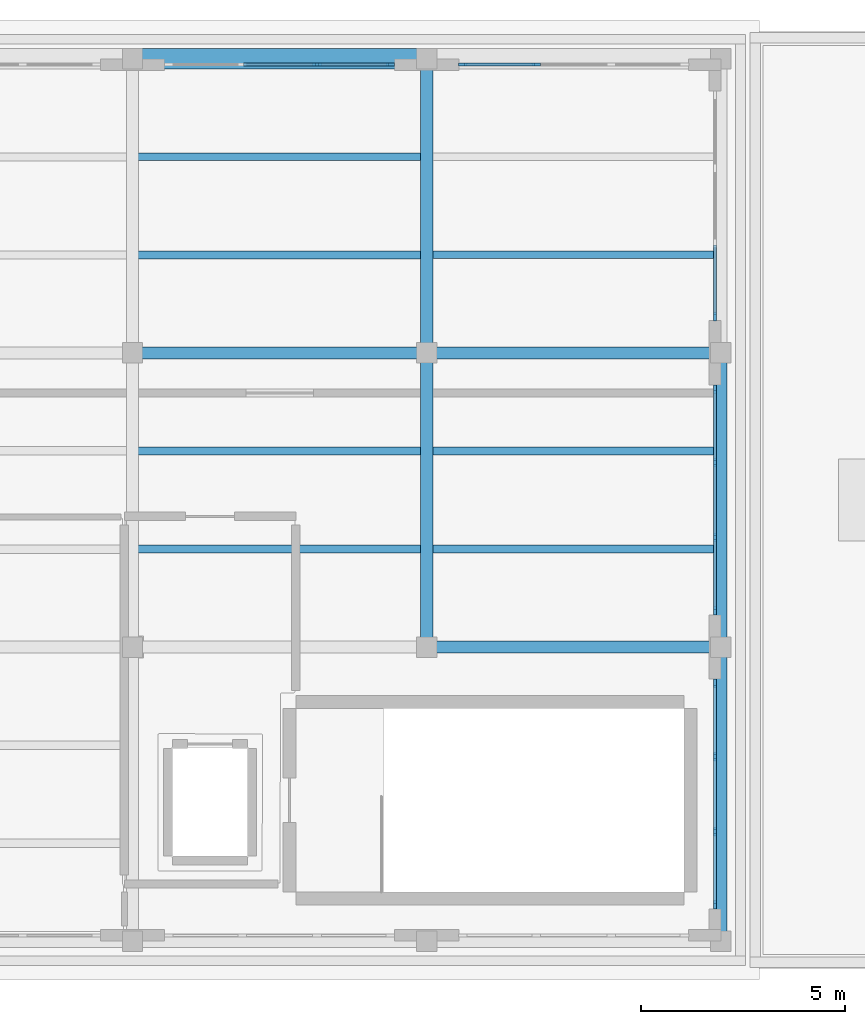
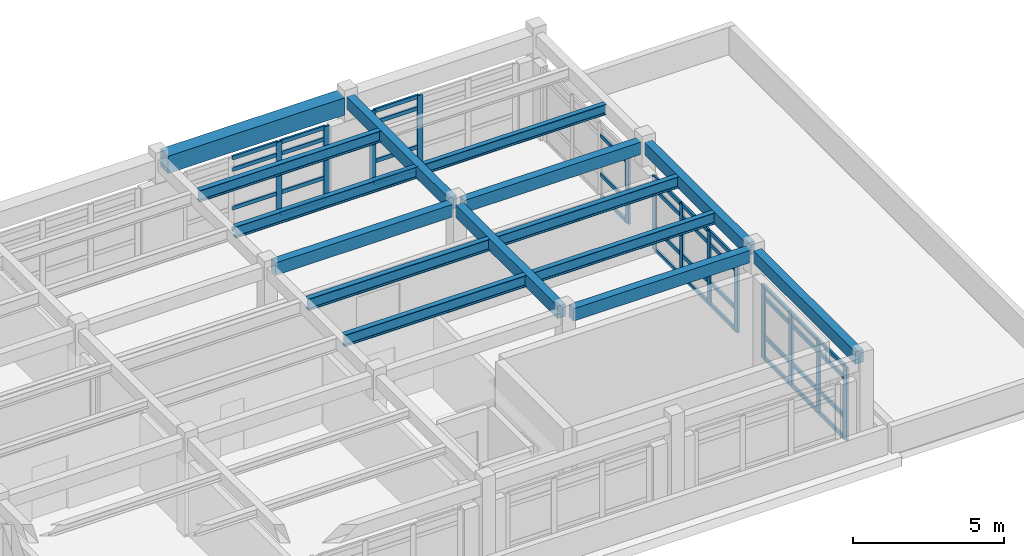
# One storey, part 6 of 12: 52 members, 15 beams, 5 elements without a shape of their own.
"""IFC4 building model written with IfcOpenShell, lengths in metres."""

from ifc_helpers import new_model, si_unit, direction, frame, origin, origin_2d, place, context, subcontext, project, spatial, rectangle, i_section, extrude, material, layer, layer_set, material_profile, profile_set, type_object, element, aggregate, save


model = new_model("IFC4")

# Units and contexts
model_context = context("Model", 3, precision=1e-05, world=origin(), true_north=direction((0.0, 1.0)))
body_context = subcontext(model_context, "Body", "Model", "MODEL_VIEW")
ifc_project = project(units=[si_unit("LENGTHUNIT", "METRE"), si_unit("AREAUNIT", "SQUARE_METRE"), si_unit("VOLUMEUNIT", "CUBIC_METRE"), si_unit("PLANEANGLEUNIT", "RADIAN"), si_unit("MASSUNIT", "GRAM", prefix="KILO")], contexts=[model_context])

# Site, building, storey
site_placement = place(None, origin())
site = spatial("IfcSite", under=ifc_project, at=site_placement, CompositionType="ELEMENT")
building_placement = place(site_placement, origin())
building = spatial("IfcBuilding", under=site, at=building_placement, Name="Solenvale Faculty of Natural Sciences", CompositionType="ELEMENT")
storey_placement = place(building_placement, frame((0.0, 0.0, 52.199951171875)))
storey = spatial("IfcBuildingStorey", under=building, at=storey_placement, Name="RF", CompositionType="ELEMENT", Elevation=52.199951171875)

# Beams
ifc_material_1 = material(Name="Concrete 40 MPa", Category="concrete")
ifc_material_profile_1 = material_profile(ifc_material_1, rectangle(XDim=0.300048828125, YDim=0.5, at=origin_2d()), Name="RC-BM-300x500")
ifc_profile_set_1 = profile_set([ifc_material_profile_1], Name="Concrete 40 MPa")
beam_type_1 = type_object("IfcBeamType", Name="BM-RC-300x500", PredefinedType="BEAM", material=ifc_profile_set_1)
for number, where, z_axis, x_axis, name in (
    (1, (137.030029296875, 100.800048828125, 3.670166015625), (1.0, 0.0, 0.0), (0.0, 1.0, 0.0), "RF X-Girder Y100.8 (136.8..144.0)"),
    (2, (129.830078125, 108.0, 3.670166015625), (1.0, 0.0, 0.0), (0.0, 1.0, 0.0), "RF X-Girder Y108.0 (129.6..136.8)"),
    (3, (137.030029296875, 108.0, 3.670166015625), (1.0, 0.0, 0.0), (0.0, 1.0, 0.0), "RF X-Girder Y108.0 (136.8..144.0)"),
    (4, (136.800048828125, 101.030029296875, 3.670166015625), (0.0, 1.0, 0.0), (-1.0, 0.0, 0.0), "RF Y-Girder X136.8 (100.8..108.0)"),
    (5, (136.800048828125, 108.22998046875, 3.670166015625), (0.0, 1.0, 0.0), (-1.0, 0.0, 0.0), "RF Y-Girder X136.8 (108.0..115.2)"),
    (6, (144.0, 93.830078125, 3.670166015625), (0.0, 1.0, 0.0), (-1.0, 0.0, 0.0), "RF Y-Girder X144.0 (93.6..100.8)"),
    (7, (144.0, 101.030029296875, 3.670166015625), (0.0, 1.0, 0.0), (-1.0, 0.0, 0.0), "RF Y-Girder X144.0 (100.8..108.0)"),
):
    element("IfcBeam", number, at=place(storey_placement, frame(where, z_axis=z_axis, x_axis=x_axis)), inside=storey, type_object=beam_type_1, Name=name, PredefinedType="BEAM", context=body_context, shape_type="SweptSolid", body=[
        extrude(rectangle(XDim=0.300048828125, YDim=0.5, at=origin_2d()), origin(), (0.0, 0.0, 1.0), 6.739990234375),
    ])
ifc_material_2 = material(Name="Precast concrete 40 MPa", Category="concrete")
ifc_material_profile_2 = material_profile(ifc_material_2, rectangle(XDim=0.5, YDim=0.699951171875, at=origin_2d()), Name="RC-BM-500x700")
ifc_profile_set_2 = profile_set([ifc_material_profile_2], Name="Precast concrete 40 MPa")
beam_type_2 = type_object("IfcBeamType", Name="BM-SPN-PRC-700", PredefinedType="SPANDREL", material=ifc_profile_set_2)
beam_1_placement = place(storey_placement, frame((129.830078125, 115.199951171875, 3.570068359375), z_axis=(1.0, 0.0, 0.0), x_axis=(0.0, 1.0, 0.0)))
element("IfcBeam", 8, at=beam_1_placement, inside=storey, type_object=beam_type_2, Name="RF X-Girder Y115.2 (129.6..136.8)", PredefinedType="SPANDREL", context=body_context, shape_type="SweptSolid", body=[
    extrude(rectangle(XDim=0.5, YDim=0.699951171875, at=origin_2d()), origin(), (0.0, 0.0, 1.0), 6.739990234375),
])
ifc_material_3 = material(Name="Steel S355", Category="steel")
ifc_material_profile_3 = material_profile(ifc_material_3, i_section(OverallWidth=0.180908203125, OverallDepth=0.4169921875, WebThickness=0.010986328125, FlangeThickness=0.018310546875, FilletRadius=0.01611328125, at=origin_2d()), Name="W410x85")
ifc_profile_set_3 = profile_set([ifc_material_profile_3], Name="Steel S355")
beam_type_3 = type_object("IfcBeamType", Name="BM-STL-W410x85", PredefinedType="JOIST", material=ifc_profile_set_3)
beam_2_placement = place(storey_placement, frame((136.929931640625, 110.39990234375, 3.711669921875), z_axis=(1.0, 0.0, 0.0), x_axis=(0.0, 1.0, 0.0)))
element("IfcBeam", 9, at=beam_2_placement, inside=storey, type_object=beam_type_3, Name="RF Composite Floor Joist (20,16).1", PredefinedType="JOIST", context=body_context, shape_type="SweptSolid", body=[
    extrude(i_section(OverallWidth=0.180908203125, OverallDepth=0.4169921875, WebThickness=0.010986328125, FlangeThickness=0.018310546875, FilletRadius=0.01611328125, at=origin_2d()), origin(), (0.0, 0.0, 1.0), 6.940185546875),
])
ifc_material_profile_4 = material_profile(ifc_material_3, i_section(OverallWidth=0.194091796875, OverallDepth=0.468994140625, WebThickness=0.0126953125, FlangeThickness=0.0205078125, FilletRadius=0.01806640625, at=origin_2d()), Name="W460x106")
ifc_profile_set_4 = profile_set([ifc_material_profile_4], Name="Steel S355")
beam_type_4 = type_object("IfcBeamType", Name="BM-STL-W460x106", PredefinedType="JOIST", material=ifc_profile_set_4)
for number, where, z_axis, x_axis, name in (
    (10, (129.72998046875, 103.199951171875, 3.685546875), (1.0, 0.0, 0.0), (0.0, 1.0, 0.0), "RF Composite Floor Joist (19,15).1"),
    (11, (129.72998046875, 105.60009765625, 3.685546875), (1.0, 0.0, 0.0), (0.0, 1.0, 0.0), "RF Composite Floor Joist (19,15).2"),
):
    element("IfcBeam", number, at=place(storey_placement, frame(where, z_axis=z_axis, x_axis=x_axis)), inside=storey, type_object=beam_type_4, Name=name, PredefinedType="JOIST", context=body_context, shape_type="SweptSolid", body=[
        extrude(i_section(OverallWidth=0.194091796875, OverallDepth=0.468994140625, WebThickness=0.0126953125, FlangeThickness=0.0205078125, FilletRadius=0.01806640625, at=origin_2d()), origin(), (0.0, 0.0, 1.0), 6.93994140625),
    ])
ifc_material_profile_5 = material_profile(ifc_material_3, i_section(OverallWidth=0.19091796875, OverallDepth=0.4599609375, WebThickness=0.010009765625, FlangeThickness=0.01611328125, FilletRadius=0.01806640625, at=origin_2d()), Name="W460x82")
ifc_profile_set_5 = profile_set([ifc_material_profile_5], Name="Steel S355")
beam_type_5 = type_object("IfcBeamType", Name="BM-STL-W460x82", PredefinedType="JOIST", material=ifc_profile_set_5)
for number, where, z_axis, x_axis, name in (
    (12, (129.72998046875, 110.39990234375, 3.68994140625), (1.0, 0.0, 0.0), (0.0, 1.0, 0.0), "RF Composite Floor Joist (19,16).1"),
    (13, (129.72998046875, 112.800048828125, 3.68994140625), (1.0, 0.0, 0.0), (0.0, 1.0, 0.0), "RF Composite Floor Joist (19,16).2"),
):
    element("IfcBeam", number, at=place(storey_placement, frame(where, z_axis=z_axis, x_axis=x_axis)), inside=storey, type_object=beam_type_5, Name=name, PredefinedType="JOIST", context=body_context, shape_type="SweptSolid", body=[
        extrude(i_section(OverallWidth=0.19091796875, OverallDepth=0.4599609375, WebThickness=0.010009765625, FlangeThickness=0.01611328125, FilletRadius=0.01806640625, at=origin_2d()), origin(), (0.0, 0.0, 1.0), 6.93994140625),
    ])
for number, where, z_axis, x_axis, name in (
    (14, (136.929931640625, 103.199951171875, 3.68994140625), (1.0, 0.0, 0.0), (0.0, 1.0, 0.0), "RF Composite Floor Joist (20,15).1"),
    (15, (136.929931640625, 105.60009765625, 3.68994140625), (1.0, 0.0, 0.0), (0.0, 1.0, 0.0), "RF Composite Floor Joist (20,15).2"),
):
    element("IfcBeam", number, at=place(storey_placement, frame(where, z_axis=z_axis, x_axis=x_axis)), inside=storey, type_object=beam_type_5, Name=name, PredefinedType="JOIST", context=body_context, shape_type="SweptSolid", body=[
        extrude(i_section(OverallWidth=0.19091796875, OverallDepth=0.4599609375, WebThickness=0.010009765625, FlangeThickness=0.01611328125, FilletRadius=0.01806640625, at=origin_2d()), origin(), (0.0, 0.0, 1.0), 6.940185546875),
    ])

# Curtain wall, members
ifc_material_4 = material(Name="Anodised bronze aluminium", Category="aluminium")
ifc_layer = layer(ifc_material_4, 0.179931640625)
ifc_layer_set = layer_set([ifc_layer], Name="Anodised bronze aluminium")
curtain_wall_type = type_object("IfcCurtainWallType", Name="CW-TWR-MOD", PredefinedType="USERDEFINED", material=ifc_layer_set)
curtain_wall_1_placement = place(storey_placement, origin())
curtain_wall_1 = element("IfcCurtainWall", 16, at=curtain_wall_1_placement, inside=storey, type_object=curtain_wall_type, Name="RF Curtain Wall CW-RF-P1-E1-B1", ObjectType="UNITISED CURTAIN WALL", PredefinedType="USERDEFINED")
ifc_material_profile_6 = material_profile(ifc_material_4, rectangle(XDim=0.074951171875, YDim=0.2099609375, at=origin_2d()), Name="ALU-MUL-75x210")
ifc_profile_set_6 = profile_set([ifc_material_profile_6], Name="Anodised bronze aluminium")
member_type_1 = type_object("IfcMemberType", Name="CWM-ALU-75x210", PredefinedType="MULLION", material=ifc_profile_set_6)
member_1_placement = place(storey_placement, frame((143.857421875, 94.487548828125, 0.0), z_axis=(0.0, 0.0, 1.0), x_axis=(-1.0, 0.0, 0.0)))
member_1 = element("IfcMember", 17, at=member_1_placement, type_object=member_type_1, Name="CW-04 mullion 1", PredefinedType="MULLION", context=body_context, shape_type="SweptSolid", body=[
    extrude(rectangle(XDim=0.074951171875, YDim=0.2099609375, at=origin_2d()), origin(), (0.0, 0.0, 1.0), 2.9599609375),
])
member_2_placement = place(storey_placement, frame((143.857421875, 96.283447265625, 0.0), z_axis=(0.0, 0.0, 1.0), x_axis=(-1.0, 0.0, 0.0)))
member_2 = element("IfcMember", 18, at=member_2_placement, type_object=member_type_1, Name="CW-04 mullion 2", PredefinedType="MULLION", context=body_context, shape_type="SweptSolid", body=[
    extrude(rectangle(XDim=0.074951171875, YDim=0.2099609375, at=origin_2d()), origin(), (0.0, 0.0, 1.0), 2.9599609375),
])
member_3_placement = place(storey_placement, frame((143.857421875, 98.11669921875, 0.0), z_axis=(0.0, 0.0, 1.0), x_axis=(-1.0, 0.0, 0.0)))
member_3 = element("IfcMember", 19, at=member_3_placement, type_object=member_type_1, Name="CW-04 mullion 3", PredefinedType="MULLION", context=body_context, shape_type="SweptSolid", body=[
    extrude(rectangle(XDim=0.074951171875, YDim=0.2099609375, at=origin_2d()), origin(), (0.0, 0.0, 1.0), 2.9599609375),
])
member_4_placement = place(storey_placement, frame((143.857421875, 99.91259765625, 0.0), z_axis=(0.0, 0.0, 1.0), x_axis=(-1.0, 0.0, 0.0)))
member_4 = element("IfcMember", 20, at=member_4_placement, type_object=member_type_1, Name="CW-04 mullion 4", PredefinedType="MULLION", context=body_context, shape_type="SweptSolid", body=[
    extrude(rectangle(XDim=0.074951171875, YDim=0.2099609375, at=origin_2d()), origin(), (0.0, 0.0, 1.0), 2.9599609375),
])

curtain_wall_2_placement = place(storey_placement, origin())
curtain_wall_2 = element("IfcCurtainWall", 21, at=curtain_wall_2_placement, inside=storey, type_object=curtain_wall_type, Name="RF Curtain Wall CW-RF-P1-E1-B2", ObjectType="UNITISED CURTAIN WALL", PredefinedType="USERDEFINED")
member_5_placement = place(storey_placement, frame((143.857421875, 101.6875, 0.0), z_axis=(0.0, 0.0, 1.0), x_axis=(-1.0, 0.0, 0.0)))
member_5 = element("IfcMember", 22, at=member_5_placement, type_object=member_type_1, Name="CW-04 mullion 1", PredefinedType="MULLION", context=body_context, shape_type="SweptSolid", body=[
    extrude(rectangle(XDim=0.074951171875, YDim=0.2099609375, at=origin_2d()), origin(), (0.0, 0.0, 1.0), 2.9599609375),
])
member_6_placement = place(storey_placement, frame((143.857421875, 103.4833984375, 0.0), z_axis=(0.0, 0.0, 1.0), x_axis=(-1.0, 0.0, 0.0)))
member_6 = element("IfcMember", 23, at=member_6_placement, type_object=member_type_1, Name="CW-04 mullion 2", PredefinedType="MULLION", context=body_context, shape_type="SweptSolid", body=[
    extrude(rectangle(XDim=0.074951171875, YDim=0.2099609375, at=origin_2d()), origin(), (0.0, 0.0, 1.0), 2.9599609375),
])
member_7_placement = place(storey_placement, frame((143.857421875, 105.316650390625, 0.0), z_axis=(0.0, 0.0, 1.0), x_axis=(-1.0, 0.0, 0.0)))
member_7 = element("IfcMember", 24, at=member_7_placement, type_object=member_type_1, Name="CW-04 mullion 3", PredefinedType="MULLION", context=body_context, shape_type="SweptSolid", body=[
    extrude(rectangle(XDim=0.074951171875, YDim=0.2099609375, at=origin_2d()), origin(), (0.0, 0.0, 1.0), 2.9599609375),
])
member_8_placement = place(storey_placement, frame((143.857421875, 107.112548828125, 0.0), z_axis=(0.0, 0.0, 1.0), x_axis=(-1.0, 0.0, 0.0)))
member_8 = element("IfcMember", 25, at=member_8_placement, type_object=member_type_1, Name="CW-04 mullion 4", PredefinedType="MULLION", context=body_context, shape_type="SweptSolid", body=[
    extrude(rectangle(XDim=0.074951171875, YDim=0.2099609375, at=origin_2d()), origin(), (0.0, 0.0, 1.0), 2.9599609375),
])

# Curtain wall, member
curtain_wall_3_placement = place(storey_placement, origin())
curtain_wall_3 = element("IfcCurtainWall", 26, at=curtain_wall_3_placement, inside=storey, type_object=curtain_wall_type, Name="RF Curtain Wall CW-RF-P1-E1-B3", ObjectType="UNITISED CURTAIN WALL", PredefinedType="USERDEFINED")
member_9_placement = place(storey_placement, frame((143.857421875, 108.887451171875, 0.0), z_axis=(0.0, 0.0, 1.0), x_axis=(-1.0, 0.0, 0.0)))
member_9 = element("IfcMember", 27, at=member_9_placement, type_object=member_type_1, Name="CW-04 mullion 1", PredefinedType="MULLION", context=body_context, shape_type="SweptSolid", body=[
    extrude(rectangle(XDim=0.074951171875, YDim=0.2099609375, at=origin_2d()), origin(), (0.0, 0.0, 1.0), 2.9599609375),
])

# Curtain wall, members
curtain_wall_4_placement = place(storey_placement, origin())
curtain_wall_4 = element("IfcCurtainWall", 28, at=curtain_wall_4_placement, inside=storey, type_object=curtain_wall_type, Name="RF Curtain Wall CW-RF-P1-E2-B1", ObjectType="UNITISED CURTAIN WALL", PredefinedType="USERDEFINED")
member_10_placement = place(storey_placement, frame((139.4833984375, 115.0576171875, 0.0), z_axis=(0.0, 0.0, 1.0), x_axis=(0.0, -1.0, 0.0)))
member_10 = element("IfcMember", 29, at=member_10_placement, type_object=member_type_1, Name="CW-04 mullion 3", PredefinedType="MULLION", context=body_context, shape_type="SweptSolid", body=[
    extrude(rectangle(XDim=0.074951171875, YDim=0.2099609375, at=origin_2d()), origin(), (0.0, 0.0, 1.0), 2.9599609375),
])
member_11_placement = place(storey_placement, frame((137.6875, 115.0576171875, 0.0), z_axis=(0.0, 0.0, 1.0), x_axis=(0.0, -1.0, 0.0)))
member_11 = element("IfcMember", 30, at=member_11_placement, type_object=member_type_1, Name="CW-04 mullion 4", PredefinedType="MULLION", context=body_context, shape_type="SweptSolid", body=[
    extrude(rectangle(XDim=0.074951171875, YDim=0.2099609375, at=origin_2d()), origin(), (0.0, 0.0, 1.0), 2.9599609375),
])

curtain_wall_5_placement = place(storey_placement, origin())
curtain_wall_5 = element("IfcCurtainWall", 31, at=curtain_wall_5_placement, inside=storey, type_object=curtain_wall_type, Name="RF Curtain Wall CW-RF-P1-E2-B2", ObjectType="UNITISED CURTAIN WALL", PredefinedType="USERDEFINED")
member_12_placement = place(storey_placement, frame((135.91259765625, 115.0576171875, 0.0), z_axis=(0.0, 0.0, 1.0), x_axis=(0.0, -1.0, 0.0)))
member_12 = element("IfcMember", 32, at=member_12_placement, type_object=member_type_1, Name="CW-04 mullion 1", PredefinedType="MULLION", context=body_context, shape_type="SweptSolid", body=[
    extrude(rectangle(XDim=0.074951171875, YDim=0.2099609375, at=origin_2d()), origin(), (0.0, 0.0, 1.0), 2.9599609375),
])
member_13_placement = place(storey_placement, frame((134.11669921875, 115.0576171875, 0.0), z_axis=(0.0, 0.0, 1.0), x_axis=(0.0, -1.0, 0.0)))
member_13 = element("IfcMember", 33, at=member_13_placement, type_object=member_type_1, Name="CW-04 mullion 2", PredefinedType="MULLION", context=body_context, shape_type="SweptSolid", body=[
    extrude(rectangle(XDim=0.074951171875, YDim=0.2099609375, at=origin_2d()), origin(), (0.0, 0.0, 1.0), 2.9599609375),
])

# Member
ifc_material_profile_7 = material_profile(ifc_material_4, rectangle(XDim=0.074951171875, YDim=0.155029296875, at=origin_2d()), Name="ALU-TRN-75x155")
ifc_profile_set_7 = profile_set([ifc_material_profile_7], Name="Anodised bronze aluminium")
member_type_2 = type_object("IfcMemberType", Name="CWT-ALU-75x155", PredefinedType="USERDEFINED", material=ifc_profile_set_7)
member_14_placement = place(storey_placement, frame((143.857421875, 94.52490234375, 0.03759765625), z_axis=(0.0, 1.0, 0.0), x_axis=(-1.0, 0.0, 0.0)))
member_14 = element("IfcMember", 34, at=member_14_placement, type_object=member_type_2, Name="CW-04 transom 1.1", ObjectType="TRANSOM", PredefinedType="USERDEFINED", context=body_context, shape_type="SweptSolid", body=[
    extrude(rectangle(XDim=0.074951171875, YDim=0.155029296875, at=origin_2d()), origin(), (0.0, 0.0, 1.0), 1.720947265625),
])

member_15_placement = place(storey_placement, frame((143.857421875, 94.52490234375, 0.900146484375), z_axis=(0.0, 1.0, 0.0), x_axis=(-1.0, 0.0, 0.0)))
member_15 = element("IfcMember", 35, at=member_15_placement, type_object=member_type_2, Name="CW-04 transom 1.2", ObjectType="TRANSOM", PredefinedType="USERDEFINED", context=body_context, shape_type="SweptSolid", body=[
    extrude(rectangle(XDim=0.074951171875, YDim=0.155029296875, at=origin_2d()), origin(), (0.0, 0.0, 1.0), 1.720947265625),
])

member_16_placement = place(storey_placement, frame((143.857421875, 94.52490234375, 2.4599609375), z_axis=(0.0, 1.0, 0.0), x_axis=(-1.0, 0.0, 0.0)))
member_16 = element("IfcMember", 36, at=member_16_placement, type_object=member_type_2, Name="CW-04 transom 1.3", ObjectType="TRANSOM", PredefinedType="USERDEFINED", context=body_context, shape_type="SweptSolid", body=[
    extrude(rectangle(XDim=0.074951171875, YDim=0.155029296875, at=origin_2d()), origin(), (0.0, 0.0, 1.0), 1.720947265625),
])

member_17_placement = place(storey_placement, frame((143.857421875, 94.52490234375, 2.922607421875), z_axis=(0.0, 1.0, 0.0), x_axis=(-1.0, 0.0, 0.0)))
member_17 = element("IfcMember", 37, at=member_17_placement, type_object=member_type_2, Name="CW-04 transom 1.4", ObjectType="TRANSOM", PredefinedType="USERDEFINED", context=body_context, shape_type="SweptSolid", body=[
    extrude(rectangle(XDim=0.074951171875, YDim=0.155029296875, at=origin_2d()), origin(), (0.0, 0.0, 1.0), 1.720947265625),
])

member_18_placement = place(storey_placement, frame((143.857421875, 96.32080078125, 0.03759765625), z_axis=(0.0, 1.0, 0.0), x_axis=(-1.0, 0.0, 0.0)))
member_18 = element("IfcMember", 38, at=member_18_placement, type_object=member_type_2, Name="CW-04 transom 2.1", ObjectType="TRANSOM", PredefinedType="USERDEFINED", context=body_context, shape_type="SweptSolid", body=[
    extrude(rectangle(XDim=0.074951171875, YDim=0.155029296875, at=origin_2d()), origin(), (0.0, 0.0, 1.0), 1.75830078125),
])

member_19_placement = place(storey_placement, frame((143.857421875, 96.32080078125, 0.900146484375), z_axis=(0.0, 1.0, 0.0), x_axis=(-1.0, 0.0, 0.0)))
member_19 = element("IfcMember", 39, at=member_19_placement, type_object=member_type_2, Name="CW-04 transom 2.2", ObjectType="TRANSOM", PredefinedType="USERDEFINED", context=body_context, shape_type="SweptSolid", body=[
    extrude(rectangle(XDim=0.074951171875, YDim=0.155029296875, at=origin_2d()), origin(), (0.0, 0.0, 1.0), 1.75830078125),
])

member_20_placement = place(storey_placement, frame((143.857421875, 96.32080078125, 2.4599609375), z_axis=(0.0, 1.0, 0.0), x_axis=(-1.0, 0.0, 0.0)))
member_20 = element("IfcMember", 40, at=member_20_placement, type_object=member_type_2, Name="CW-04 transom 2.3", ObjectType="TRANSOM", PredefinedType="USERDEFINED", context=body_context, shape_type="SweptSolid", body=[
    extrude(rectangle(XDim=0.074951171875, YDim=0.155029296875, at=origin_2d()), origin(), (0.0, 0.0, 1.0), 1.75830078125),
])

member_21_placement = place(storey_placement, frame((143.857421875, 96.32080078125, 2.922607421875), z_axis=(0.0, 1.0, 0.0), x_axis=(-1.0, 0.0, 0.0)))
member_21 = element("IfcMember", 41, at=member_21_placement, type_object=member_type_2, Name="CW-04 transom 2.4", ObjectType="TRANSOM", PredefinedType="USERDEFINED", context=body_context, shape_type="SweptSolid", body=[
    extrude(rectangle(XDim=0.074951171875, YDim=0.155029296875, at=origin_2d()), origin(), (0.0, 0.0, 1.0), 1.75830078125),
])

member_22_placement = place(storey_placement, frame((143.857421875, 98.154052734375, 0.03759765625), z_axis=(0.0, 1.0, 0.0), x_axis=(-1.0, 0.0, 0.0)))
member_22 = element("IfcMember", 42, at=member_22_placement, type_object=member_type_2, Name="CW-04 transom 3.1", ObjectType="TRANSOM", PredefinedType="USERDEFINED", context=body_context, shape_type="SweptSolid", body=[
    extrude(rectangle(XDim=0.074951171875, YDim=0.155029296875, at=origin_2d()), origin(), (0.0, 0.0, 1.0), 1.720947265625),
])

member_23_placement = place(storey_placement, frame((143.857421875, 98.154052734375, 0.900146484375), z_axis=(0.0, 1.0, 0.0), x_axis=(-1.0, 0.0, 0.0)))
member_23 = element("IfcMember", 43, at=member_23_placement, type_object=member_type_2, Name="CW-04 transom 3.2", ObjectType="TRANSOM", PredefinedType="USERDEFINED", context=body_context, shape_type="SweptSolid", body=[
    extrude(rectangle(XDim=0.074951171875, YDim=0.155029296875, at=origin_2d()), origin(), (0.0, 0.0, 1.0), 1.720947265625),
])

member_24_placement = place(storey_placement, frame((143.857421875, 98.154052734375, 2.4599609375), z_axis=(0.0, 1.0, 0.0), x_axis=(-1.0, 0.0, 0.0)))
member_24 = element("IfcMember", 44, at=member_24_placement, type_object=member_type_2, Name="CW-04 transom 3.3", ObjectType="TRANSOM", PredefinedType="USERDEFINED", context=body_context, shape_type="SweptSolid", body=[
    extrude(rectangle(XDim=0.074951171875, YDim=0.155029296875, at=origin_2d()), origin(), (0.0, 0.0, 1.0), 1.720947265625),
])

member_25_placement = place(storey_placement, frame((143.857421875, 98.154052734375, 2.922607421875), z_axis=(0.0, 1.0, 0.0), x_axis=(-1.0, 0.0, 0.0)))
member_25 = element("IfcMember", 45, at=member_25_placement, type_object=member_type_2, Name="CW-04 transom 3.4", ObjectType="TRANSOM", PredefinedType="USERDEFINED", context=body_context, shape_type="SweptSolid", body=[
    extrude(rectangle(XDim=0.074951171875, YDim=0.155029296875, at=origin_2d()), origin(), (0.0, 0.0, 1.0), 1.720947265625),
])

aggregate(curtain_wall_1, [member_1, member_2, member_3, member_4, member_14, member_15, member_16, member_17, member_18, member_19, member_20, member_21, member_22, member_23, member_24, member_25])

member_26_placement = place(storey_placement, frame((143.857421875, 101.72509765625, 0.03759765625), z_axis=(0.0, 1.0, 0.0), x_axis=(-1.0, 0.0, 0.0)))
member_26 = element("IfcMember", 46, at=member_26_placement, type_object=member_type_2, Name="CW-04 transom 1.1", ObjectType="TRANSOM", PredefinedType="USERDEFINED", context=body_context, shape_type="SweptSolid", body=[
    extrude(rectangle(XDim=0.074951171875, YDim=0.155029296875, at=origin_2d()), origin(), (0.0, 0.0, 1.0), 1.720703125),
])

member_27_placement = place(storey_placement, frame((143.857421875, 101.72509765625, 0.900146484375), z_axis=(0.0, 1.0, 0.0), x_axis=(-1.0, 0.0, 0.0)))
member_27 = element("IfcMember", 47, at=member_27_placement, type_object=member_type_2, Name="CW-04 transom 1.2", ObjectType="TRANSOM", PredefinedType="USERDEFINED", context=body_context, shape_type="SweptSolid", body=[
    extrude(rectangle(XDim=0.074951171875, YDim=0.155029296875, at=origin_2d()), origin(), (0.0, 0.0, 1.0), 1.720703125),
])

member_28_placement = place(storey_placement, frame((143.857421875, 101.72509765625, 2.4599609375), z_axis=(0.0, 1.0, 0.0), x_axis=(-1.0, 0.0, 0.0)))
member_28 = element("IfcMember", 48, at=member_28_placement, type_object=member_type_2, Name="CW-04 transom 1.3", ObjectType="TRANSOM", PredefinedType="USERDEFINED", context=body_context, shape_type="SweptSolid", body=[
    extrude(rectangle(XDim=0.074951171875, YDim=0.155029296875, at=origin_2d()), origin(), (0.0, 0.0, 1.0), 1.720703125),
])

member_29_placement = place(storey_placement, frame((143.857421875, 101.72509765625, 2.922607421875), z_axis=(0.0, 1.0, 0.0), x_axis=(-1.0, 0.0, 0.0)))
member_29 = element("IfcMember", 49, at=member_29_placement, type_object=member_type_2, Name="CW-04 transom 1.4", ObjectType="TRANSOM", PredefinedType="USERDEFINED", context=body_context, shape_type="SweptSolid", body=[
    extrude(rectangle(XDim=0.074951171875, YDim=0.155029296875, at=origin_2d()), origin(), (0.0, 0.0, 1.0), 1.720703125),
])

member_30_placement = place(storey_placement, frame((143.857421875, 103.520751953125, 0.03759765625), z_axis=(0.0, 1.0, 0.0), x_axis=(-1.0, 0.0, 0.0)))
member_30 = element("IfcMember", 50, at=member_30_placement, type_object=member_type_2, Name="CW-04 transom 2.1", ObjectType="TRANSOM", PredefinedType="USERDEFINED", context=body_context, shape_type="SweptSolid", body=[
    extrude(rectangle(XDim=0.074951171875, YDim=0.155029296875, at=origin_2d()), origin(), (0.0, 0.0, 1.0), 1.75830078125),
])

member_31_placement = place(storey_placement, frame((143.857421875, 103.520751953125, 0.900146484375), z_axis=(0.0, 1.0, 0.0), x_axis=(-1.0, 0.0, 0.0)))
member_31 = element("IfcMember", 51, at=member_31_placement, type_object=member_type_2, Name="CW-04 transom 2.2", ObjectType="TRANSOM", PredefinedType="USERDEFINED", context=body_context, shape_type="SweptSolid", body=[
    extrude(rectangle(XDim=0.074951171875, YDim=0.155029296875, at=origin_2d()), origin(), (0.0, 0.0, 1.0), 1.75830078125),
])

member_32_placement = place(storey_placement, frame((143.857421875, 103.520751953125, 2.4599609375), z_axis=(0.0, 1.0, 0.0), x_axis=(-1.0, 0.0, 0.0)))
member_32 = element("IfcMember", 52, at=member_32_placement, type_object=member_type_2, Name="CW-04 transom 2.3", ObjectType="TRANSOM", PredefinedType="USERDEFINED", context=body_context, shape_type="SweptSolid", body=[
    extrude(rectangle(XDim=0.074951171875, YDim=0.155029296875, at=origin_2d()), origin(), (0.0, 0.0, 1.0), 1.75830078125),
])

member_33_placement = place(storey_placement, frame((143.857421875, 103.520751953125, 2.922607421875), z_axis=(0.0, 1.0, 0.0), x_axis=(-1.0, 0.0, 0.0)))
member_33 = element("IfcMember", 53, at=member_33_placement, type_object=member_type_2, Name="CW-04 transom 2.4", ObjectType="TRANSOM", PredefinedType="USERDEFINED", context=body_context, shape_type="SweptSolid", body=[
    extrude(rectangle(XDim=0.074951171875, YDim=0.155029296875, at=origin_2d()), origin(), (0.0, 0.0, 1.0), 1.75830078125),
])

member_34_placement = place(storey_placement, frame((143.857421875, 105.354248046875, 0.03759765625), z_axis=(0.0, 1.0, 0.0), x_axis=(-1.0, 0.0, 0.0)))
member_34 = element("IfcMember", 54, at=member_34_placement, type_object=member_type_2, Name="CW-04 transom 3.1", ObjectType="TRANSOM", PredefinedType="USERDEFINED", context=body_context, shape_type="SweptSolid", body=[
    extrude(rectangle(XDim=0.074951171875, YDim=0.155029296875, at=origin_2d()), origin(), (0.0, 0.0, 1.0), 1.720703125),
])

member_35_placement = place(storey_placement, frame((143.857421875, 105.354248046875, 0.900146484375), z_axis=(0.0, 1.0, 0.0), x_axis=(-1.0, 0.0, 0.0)))
member_35 = element("IfcMember", 55, at=member_35_placement, type_object=member_type_2, Name="CW-04 transom 3.2", ObjectType="TRANSOM", PredefinedType="USERDEFINED", context=body_context, shape_type="SweptSolid", body=[
    extrude(rectangle(XDim=0.074951171875, YDim=0.155029296875, at=origin_2d()), origin(), (0.0, 0.0, 1.0), 1.720703125),
])

member_36_placement = place(storey_placement, frame((143.857421875, 105.354248046875, 2.4599609375), z_axis=(0.0, 1.0, 0.0), x_axis=(-1.0, 0.0, 0.0)))
member_36 = element("IfcMember", 56, at=member_36_placement, type_object=member_type_2, Name="CW-04 transom 3.3", ObjectType="TRANSOM", PredefinedType="USERDEFINED", context=body_context, shape_type="SweptSolid", body=[
    extrude(rectangle(XDim=0.074951171875, YDim=0.155029296875, at=origin_2d()), origin(), (0.0, 0.0, 1.0), 1.720703125),
])

member_37_placement = place(storey_placement, frame((143.857421875, 105.354248046875, 2.922607421875), z_axis=(0.0, 1.0, 0.0), x_axis=(-1.0, 0.0, 0.0)))
member_37 = element("IfcMember", 57, at=member_37_placement, type_object=member_type_2, Name="CW-04 transom 3.4", ObjectType="TRANSOM", PredefinedType="USERDEFINED", context=body_context, shape_type="SweptSolid", body=[
    extrude(rectangle(XDim=0.074951171875, YDim=0.155029296875, at=origin_2d()), origin(), (0.0, 0.0, 1.0), 1.720703125),
])

aggregate(curtain_wall_2, [member_5, member_6, member_7, member_8, member_26, member_27, member_28, member_29, member_30, member_31, member_32, member_33, member_34, member_35, member_36, member_37])

member_38_placement = place(storey_placement, frame((143.857421875, 108.925048828125, 0.03759765625), z_axis=(0.0, 1.0, 0.0), x_axis=(-1.0, 0.0, 0.0)))
member_38 = element("IfcMember", 58, at=member_38_placement, type_object=member_type_2, Name="CW-04 transom 1.1", ObjectType="TRANSOM", PredefinedType="USERDEFINED", context=body_context, shape_type="SweptSolid", body=[
    extrude(rectangle(XDim=0.074951171875, YDim=0.155029296875, at=origin_2d()), origin(), (0.0, 0.0, 1.0), 1.720703125),
])

member_39_placement = place(storey_placement, frame((143.857421875, 108.925048828125, 0.900146484375), z_axis=(0.0, 1.0, 0.0), x_axis=(-1.0, 0.0, 0.0)))
member_39 = element("IfcMember", 59, at=member_39_placement, type_object=member_type_2, Name="CW-04 transom 1.2", ObjectType="TRANSOM", PredefinedType="USERDEFINED", context=body_context, shape_type="SweptSolid", body=[
    extrude(rectangle(XDim=0.074951171875, YDim=0.155029296875, at=origin_2d()), origin(), (0.0, 0.0, 1.0), 1.720703125),
])

member_40_placement = place(storey_placement, frame((143.857421875, 108.925048828125, 2.4599609375), z_axis=(0.0, 1.0, 0.0), x_axis=(-1.0, 0.0, 0.0)))
member_40 = element("IfcMember", 60, at=member_40_placement, type_object=member_type_2, Name="CW-04 transom 1.3", ObjectType="TRANSOM", PredefinedType="USERDEFINED", context=body_context, shape_type="SweptSolid", body=[
    extrude(rectangle(XDim=0.074951171875, YDim=0.155029296875, at=origin_2d()), origin(), (0.0, 0.0, 1.0), 1.720703125),
])

aggregate(curtain_wall_3, [member_9, member_38, member_39, member_40])

member_41_placement = place(storey_placement, frame((139.44580078125, 115.0576171875, 0.03759765625), z_axis=(-1.0, 0.0, 0.0), x_axis=(0.0, -1.0, 0.0)))
member_41 = element("IfcMember", 61, at=member_41_placement, type_object=member_type_2, Name="CW-04 transom 3.1", ObjectType="TRANSOM", PredefinedType="USERDEFINED", context=body_context, shape_type="SweptSolid", body=[
    extrude(rectangle(XDim=0.074951171875, YDim=0.155029296875, at=origin_2d()), origin(), (0.0, 0.0, 1.0), 1.720703125),
])

member_42_placement = place(storey_placement, frame((139.44580078125, 115.0576171875, 0.900146484375), z_axis=(-1.0, 0.0, 0.0), x_axis=(0.0, -1.0, 0.0)))
member_42 = element("IfcMember", 62, at=member_42_placement, type_object=member_type_2, Name="CW-04 transom 3.2", ObjectType="TRANSOM", PredefinedType="USERDEFINED", context=body_context, shape_type="SweptSolid", body=[
    extrude(rectangle(XDim=0.074951171875, YDim=0.155029296875, at=origin_2d()), origin(), (0.0, 0.0, 1.0), 1.720703125),
])

member_43_placement = place(storey_placement, frame((139.44580078125, 115.0576171875, 2.4599609375), z_axis=(-1.0, 0.0, 0.0), x_axis=(0.0, -1.0, 0.0)))
member_43 = element("IfcMember", 63, at=member_43_placement, type_object=member_type_2, Name="CW-04 transom 3.3", ObjectType="TRANSOM", PredefinedType="USERDEFINED", context=body_context, shape_type="SweptSolid", body=[
    extrude(rectangle(XDim=0.074951171875, YDim=0.155029296875, at=origin_2d()), origin(), (0.0, 0.0, 1.0), 1.720703125),
])

member_44_placement = place(storey_placement, frame((139.44580078125, 115.0576171875, 2.922607421875), z_axis=(-1.0, 0.0, 0.0), x_axis=(0.0, -1.0, 0.0)))
member_44 = element("IfcMember", 64, at=member_44_placement, type_object=member_type_2, Name="CW-04 transom 3.4", ObjectType="TRANSOM", PredefinedType="USERDEFINED", context=body_context, shape_type="SweptSolid", body=[
    extrude(rectangle(XDim=0.074951171875, YDim=0.155029296875, at=origin_2d()), origin(), (0.0, 0.0, 1.0), 1.720703125),
])

aggregate(curtain_wall_4, [member_10, member_11, member_41, member_42, member_43, member_44])

member_45_placement = place(storey_placement, frame((135.875, 115.0576171875, 0.03759765625), z_axis=(-1.0, 0.0, 0.0), x_axis=(0.0, -1.0, 0.0)))
member_45 = element("IfcMember", 65, at=member_45_placement, type_object=member_type_2, Name="CW-04 transom 1.1", ObjectType="TRANSOM", PredefinedType="USERDEFINED", context=body_context, shape_type="SweptSolid", body=[
    extrude(rectangle(XDim=0.074951171875, YDim=0.155029296875, at=origin_2d()), origin(), (0.0, 0.0, 1.0), 1.720947265625),
])

member_46_placement = place(storey_placement, frame((135.875, 115.0576171875, 0.900146484375), z_axis=(-1.0, 0.0, 0.0), x_axis=(0.0, -1.0, 0.0)))
member_46 = element("IfcMember", 66, at=member_46_placement, type_object=member_type_2, Name="CW-04 transom 1.2", ObjectType="TRANSOM", PredefinedType="USERDEFINED", context=body_context, shape_type="SweptSolid", body=[
    extrude(rectangle(XDim=0.074951171875, YDim=0.155029296875, at=origin_2d()), origin(), (0.0, 0.0, 1.0), 1.720947265625),
])

member_47_placement = place(storey_placement, frame((135.875, 115.0576171875, 2.4599609375), z_axis=(-1.0, 0.0, 0.0), x_axis=(0.0, -1.0, 0.0)))
member_47 = element("IfcMember", 67, at=member_47_placement, type_object=member_type_2, Name="CW-04 transom 1.3", ObjectType="TRANSOM", PredefinedType="USERDEFINED", context=body_context, shape_type="SweptSolid", body=[
    extrude(rectangle(XDim=0.074951171875, YDim=0.155029296875, at=origin_2d()), origin(), (0.0, 0.0, 1.0), 1.720947265625),
])

member_48_placement = place(storey_placement, frame((135.875, 115.0576171875, 2.922607421875), z_axis=(-1.0, 0.0, 0.0), x_axis=(0.0, -1.0, 0.0)))
member_48 = element("IfcMember", 68, at=member_48_placement, type_object=member_type_2, Name="CW-04 transom 1.4", ObjectType="TRANSOM", PredefinedType="USERDEFINED", context=body_context, shape_type="SweptSolid", body=[
    extrude(rectangle(XDim=0.074951171875, YDim=0.155029296875, at=origin_2d()), origin(), (0.0, 0.0, 1.0), 1.720947265625),
])

member_49_placement = place(storey_placement, frame((134.0791015625, 115.0576171875, 0.03759765625), z_axis=(-1.0, 0.0, 0.0), x_axis=(0.0, -1.0, 0.0)))
member_49 = element("IfcMember", 69, at=member_49_placement, type_object=member_type_2, Name="CW-04 transom 2.1", ObjectType="TRANSOM", PredefinedType="USERDEFINED", context=body_context, shape_type="SweptSolid", body=[
    extrude(rectangle(XDim=0.074951171875, YDim=0.155029296875, at=origin_2d()), origin(), (0.0, 0.0, 1.0), 1.75830078125),
])

member_50_placement = place(storey_placement, frame((134.0791015625, 115.0576171875, 0.900146484375), z_axis=(-1.0, 0.0, 0.0), x_axis=(0.0, -1.0, 0.0)))
member_50 = element("IfcMember", 70, at=member_50_placement, type_object=member_type_2, Name="CW-04 transom 2.2", ObjectType="TRANSOM", PredefinedType="USERDEFINED", context=body_context, shape_type="SweptSolid", body=[
    extrude(rectangle(XDim=0.074951171875, YDim=0.155029296875, at=origin_2d()), origin(), (0.0, 0.0, 1.0), 1.75830078125),
])

member_51_placement = place(storey_placement, frame((134.0791015625, 115.0576171875, 2.4599609375), z_axis=(-1.0, 0.0, 0.0), x_axis=(0.0, -1.0, 0.0)))
member_51 = element("IfcMember", 71, at=member_51_placement, type_object=member_type_2, Name="CW-04 transom 2.3", ObjectType="TRANSOM", PredefinedType="USERDEFINED", context=body_context, shape_type="SweptSolid", body=[
    extrude(rectangle(XDim=0.074951171875, YDim=0.155029296875, at=origin_2d()), origin(), (0.0, 0.0, 1.0), 1.75830078125),
])

member_52_placement = place(storey_placement, frame((134.0791015625, 115.0576171875, 2.922607421875), z_axis=(-1.0, 0.0, 0.0), x_axis=(0.0, -1.0, 0.0)))
member_52 = element("IfcMember", 72, at=member_52_placement, type_object=member_type_2, Name="CW-04 transom 2.4", ObjectType="TRANSOM", PredefinedType="USERDEFINED", context=body_context, shape_type="SweptSolid", body=[
    extrude(rectangle(XDim=0.074951171875, YDim=0.155029296875, at=origin_2d()), origin(), (0.0, 0.0, 1.0), 1.75830078125),
])

aggregate(curtain_wall_5, [member_12, member_13, member_45, member_46, member_47, member_48, member_49, member_50, member_51, member_52])

save(model, "model.ifc")
